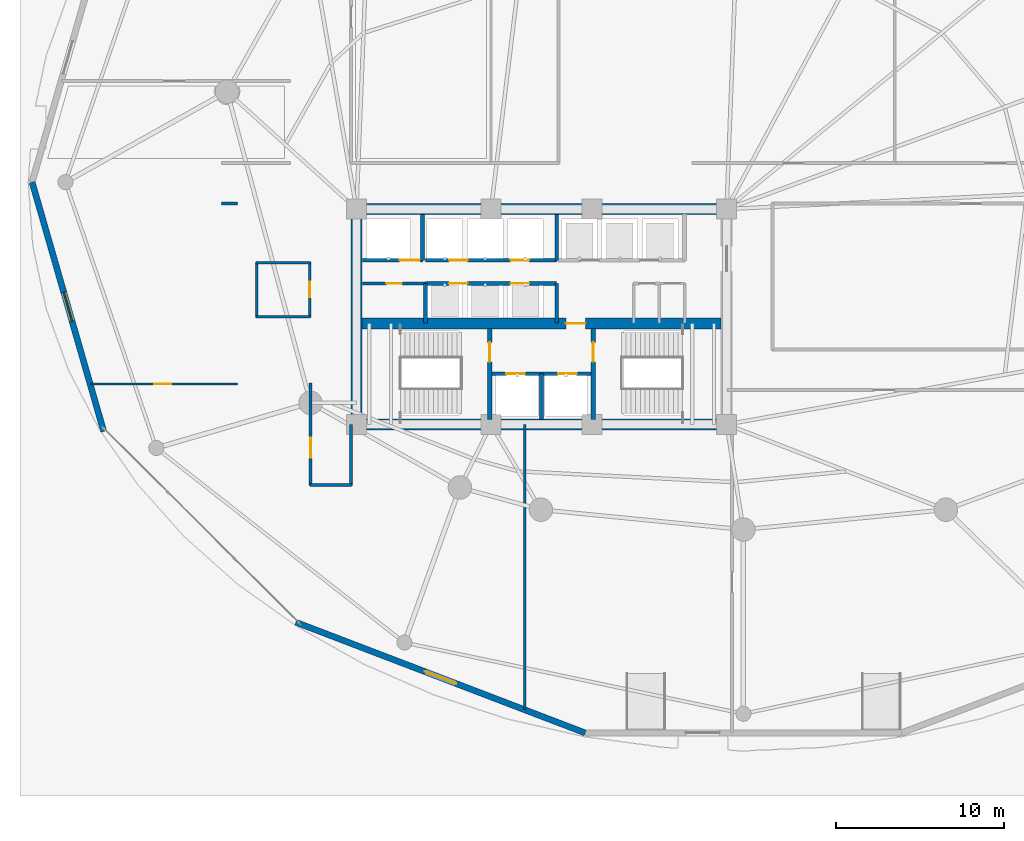
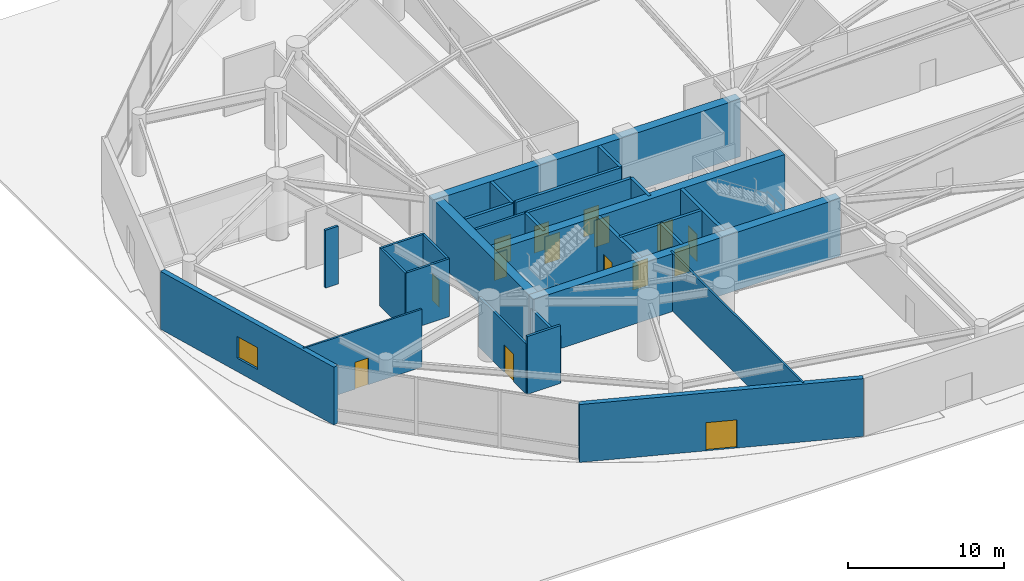
# One storey, part 22 of 35: 28 walls, 15 doors, 1 window, 16 openings.
"""IFC4 building model written with IfcOpenShell, lengths in metres."""

from ifc_helpers import new_model, si_unit, direction, frame, frame_2d, origin, place, context, subcontext, project, spatial, rectangle, extrude, material, layer, layer_set, type_object, element, fill, save


model = new_model("IFC4")

# Units and contexts
model_context = context("Model", 3, precision=1e-05, world=origin(), true_north=direction((0.0, 1.0)))
body_context = subcontext(model_context, "Body", "Model", "MODEL_VIEW")
ifc_project = project(units=[si_unit("LENGTHUNIT", "METRE"), si_unit("AREAUNIT", "SQUARE_METRE"), si_unit("VOLUMEUNIT", "CUBIC_METRE"), si_unit("PLANEANGLEUNIT", "RADIAN"), si_unit("MASSUNIT", "GRAM", prefix="KILO")], contexts=[model_context])

# Site, building, storey
site_placement = place(None, origin())
site = spatial("IfcSite", under=ifc_project, at=site_placement, CompositionType="ELEMENT")
building_placement = place(site_placement, origin())
building = spatial("IfcBuilding", under=site, at=building_placement, Name="Kazevale Care Tower and Concert Hall", CompositionType="ELEMENT")
storey_placement = place(building_placement, origin())
storey = spatial("IfcBuildingStorey", under=building, at=storey_placement, Name="L00", CompositionType="ELEMENT", Elevation=0.0)

# Wall, opening, door
ifc_material_1 = material(Name="Acoustic Gypsum on Steel Stud", Category="steel")
ifc_layer_1 = layer(ifc_material_1, 0.139892578125)
ifc_layer_set_1 = layer_set([ifc_layer_1], Name="Acoustic Gypsum on Steel Stud")
wall_type_1 = type_object("IfcWallType", Name="Acoustic Care & Suite Partition 140", PredefinedType="PARTITIONING", material=ifc_layer_set_1)
wall_1_placement = place(storey_placement, frame((6.1787109375, 26.0, 0.0), z_axis=(0.0, 0.0, 1.0), x_axis=(1.0, 0.0, 0.0)))
wall_1 = element("IfcWall", 1, at=wall_1_placement, inside=storey, type_object=wall_type_1, Name="wall:L00:auto_026", PredefinedType="PARTITIONING", context=body_context, shape_type="SweptSolid", body=[
    extrude(rectangle(XDim=8.76123046875, YDim=0.139892578125, at=frame_2d((4.380615234375, 0.0))), origin(), (0.0, 0.0, 1.0), 4.52001953125),
])
opening_1_placement = place(wall_1_placement, frame((3.800048828125, 0.0, 0.0)))
opening_1 = element("IfcOpeningElement", 2, at=opening_1_placement, cuts=wall_1, Name="Opening ID-1000", PredefinedType="OPENING", context=body_context, shape_type="SweptSolid", body=[
    extrude(rectangle(XDim=1.0, YDim=2.10009765625, at=frame_2d((0.5, 1.050048828125))), frame((0.0, 0.079833984375, 0.0), z_axis=(0.0, -1.0, 0.0), x_axis=(1.0, 0.0, 0.0)), (0.0, 0.0, 1.0), 0.159912109375),
])
ifc_material_2 = material(Name="Oak Timber Fire Leaf", Category="wood")
door_type_1 = type_object("IfcDoorType", Name="Suite & Room Door 1000x2100", OperationType="NOTDEFINED", PredefinedType="DOOR", material=ifc_material_2)
door_1_placement = place(opening_1_placement, origin())
door_1 = element("IfcDoor", 3, at=door_1_placement, inside=storey, type_object=door_type_1, Name="door:L00:ad_026", OperationType="SINGLE_SWING_LEFT", OverallHeight=2.10009765625, OverallWidth=1.0, PredefinedType="DOOR", context=body_context, shape_type="SweptSolid", body=[
    extrude(rectangle(XDim=1.0, YDim=2.10009765625, at=frame_2d((0.5, 1.050048828125))), frame((0.0, 0.02490234375, 0.0), z_axis=(0.0, -1.0, 0.0), x_axis=(1.0, 0.0, 0.0)), (0.0, 0.0, 1.0), 0.050048828125),
])
fill(opening_1, door_1)

# Walls
wall_2_placement = place(storey_placement, frame((32.0, 23.590087890625, 0.0), z_axis=(0.0, 0.0, 1.0), x_axis=(0.0, -1.0, 0.0)))
element("IfcWall", 4, at=wall_2_placement, inside=storey, type_object=wall_type_1, Name="wall:L00:auto_027", PredefinedType="PARTITIONING", context=body_context, shape_type="SweptSolid", body=[
    extrude(rectangle(XDim=16.9443359375, YDim=0.139892578125, at=frame_2d((8.47216796875, 0.0))), origin(), (0.0, 0.0, 1.0), 4.52001953125),
])
ifc_material_3 = material(Name="Concrete C70", Category="concrete")
ifc_layer_2 = layer(ifc_material_3, 0.64990234375)
ifc_layer_set_2 = layer_set([ifc_layer_2], Name="Concrete C70")
wall_type_2 = type_object("IfcWallType", Name="Core Shear Wall 650 C70", PredefinedType="SHEAR", material=ifc_layer_set_2)
for number, where, z_axis, x_axis, name in (
    (5, (21.675048828125, 23.60009765625, 0.0), (0.0, 0.0, 1.0), (1.0, 0.0, 0.0), "wall:L00:core:S"),
    (6, (21.675048828125, 36.39990234375, 0.0), (0.0, 0.0, 1.0), (1.0, 0.0, 0.0), "wall:L00:core:N"),
):
    element("IfcWall", number, at=place(storey_placement, frame(where, z_axis=z_axis, x_axis=x_axis)), inside=storey, type_object=wall_type_2, Name=name, PredefinedType="SHEAR", context=body_context, shape_type="SweptSolid", body=[
        extrude(rectangle(XDim=22.64990234375, YDim=0.64990234375, at=frame_2d((11.324951171875, 0.0))), origin(), (0.0, 0.0, 1.0), 4.52001953125),
    ])
wall_3_placement = place(storey_placement, frame((22.0, 23.925048828125, 0.0), z_axis=(0.0, 0.0, 1.0), x_axis=(0.0, 1.0, 0.0)))
element("IfcWall", 7, at=wall_3_placement, inside=storey, type_object=wall_type_2, Name="wall:L00:core:W", PredefinedType="SHEAR", context=body_context, shape_type="SweptSolid", body=[
    extrude(rectangle(XDim=12.14990234375, YDim=0.64990234375, at=frame_2d((6.074951171875, 0.0))), origin(), (0.0, 0.0, 1.0), 4.52001953125),
])

# Wall, opening, door
wall_4_placement = place(storey_placement, frame((22.324951171875, 29.60009765625, 0.0), z_axis=(0.0, 0.0, 1.0), x_axis=(1.0, 0.0, 0.0)))
wall_4 = element("IfcWall", 8, at=wall_4_placement, inside=storey, type_object=wall_type_2, Name="wall:L00:core:M", PredefinedType="SHEAR", context=body_context, shape_type="SweptSolid", body=[
    extrude(rectangle(XDim=21.35009765625, YDim=0.64990234375, at=frame_2d((10.675048828125, 0.0))), origin(), (0.0, 0.0, 1.0), 4.52001953125),
])
opening_2_placement = place(wall_4_placement, frame((12.125, 0.0, 0.0)))
opening_2 = element("IfcOpeningElement", 9, at=opening_2_placement, cuts=wall_4, Name="Opening FD-90", PredefinedType="OPENING", context=body_context, shape_type="SweptSolid", body=[
    extrude(rectangle(XDim=1.14990234375, YDim=2.10009765625, at=frame_2d((0.574951171875, 1.050048828125))), frame((0.0, 0.3349609375, 0.0), z_axis=(0.0, -1.0, 0.0), x_axis=(1.0, 0.0, 0.0)), (0.0, 0.0, 1.0), 0.669921875),
])
ifc_material_4 = material(Name="Steel ASTM A572 Gr 50", Category="steel")
door_type_2 = type_object("IfcDoorType", Name="Pressurized Stair & Lobby Fire Door 1150x2100", OperationType="NOTDEFINED", PredefinedType="DOOR", material=ifc_material_4)
door_2_placement = place(opening_2_placement, origin())
door_2 = element("IfcDoor", 10, at=door_2_placement, inside=storey, type_object=door_type_2, Name="door:L00:ff_to_pax", OperationType="SINGLE_SWING_LEFT", OverallHeight=2.10009765625, OverallWidth=1.14990234375, PredefinedType="DOOR", context=body_context, shape_type="SweptSolid", body=[
    extrude(rectangle(XDim=1.14990234375, YDim=2.10009765625, at=frame_2d((0.574951171875, 1.050048828125))), frame((0.0, 0.02490234375, 0.0), z_axis=(0.0, -1.0, 0.0), x_axis=(1.0, 0.0, 0.0)), (0.0, 0.0, 1.0), 0.050048828125),
])
fill(opening_2, door_2)

# Wall, openings, doors
ifc_material_5 = material(Name="Concrete C40", Category="concrete")
ifc_layer_3 = layer(ifc_material_5, 0.219970703125)
ifc_layer_set_3 = layer_set([ifc_layer_3], Name="Concrete C40")
wall_type_3 = type_object("IfcWallType", Name="Elevator Hoistway Shaft Wall 220", PredefinedType="SOLIDWALL", material=ifc_layer_set_3)
wall_5_placement = place(storey_placement, frame((29.919921875, 26.6201171875, 0.0), z_axis=(0.0, 0.0, 1.0), x_axis=(1.0, 0.0, 0.0)))
wall_5 = element("IfcWall", 11, at=wall_5_placement, inside=storey, type_object=wall_type_3, Name="wall:L00:c_ffl_n", PredefinedType="SOLIDWALL", context=body_context, shape_type="SweptSolid", body=[
    extrude(rectangle(XDim=6.16015625, YDim=0.219970703125, at=frame_2d((3.080078125, 0.0))), origin(), (0.0, 0.0, 1.0), 4.52001953125),
])
opening_3_placement = place(wall_5_placement, frame((0.989990234375, 0.0, 0.0)))
opening_3 = element("IfcOpeningElement", 12, at=opening_3_placement, cuts=wall_5, Name="Opening LD-FF", PredefinedType="OPENING", context=body_context, shape_type="SweptSolid", body=[
    extrude(rectangle(XDim=1.10009765625, YDim=2.10009765625, at=frame_2d((0.550048828125, 1.050048828125))), frame((0.0, 0.119873046875, 0.0), z_axis=(0.0, -1.0, 0.0), x_axis=(1.0, 0.0, 0.0)), (0.0, 0.0, 1.0), 0.239990234375),
])
opening_4_placement = place(wall_5_placement, frame((4.070068359375, 0.0, 0.0)))
opening_4 = element("IfcOpeningElement", 13, at=opening_4_placement, cuts=wall_5, Name="Opening LD-FF", PredefinedType="OPENING", context=body_context, shape_type="SweptSolid", body=[
    extrude(rectangle(XDim=1.10009765625, YDim=2.10009765625, at=frame_2d((0.550048828125, 1.050048828125))), frame((0.0, 0.119873046875, 0.0), z_axis=(0.0, -1.0, 0.0), x_axis=(1.0, 0.0, 0.0)), (0.0, 0.0, 1.0), 0.239990234375),
])
ifc_material_6 = material(Name="Stainless Steel 316", Category="steel")
door_type_3 = type_object("IfcDoorType", Name="Emergency Lift Sliding Landing Door 1100x2100", OperationType="NOTDEFINED", PredefinedType="DOOR", material=ifc_material_6)
door_3_placement = place(opening_3_placement, origin())
door_3 = element("IfcDoor", 14, at=door_3_placement, inside=storey, type_object=door_type_3, Name="door:L00:ld_ffl1", OperationType="SLIDING_TO_LEFT", OverallHeight=2.10009765625, OverallWidth=1.10009765625, PredefinedType="DOOR", context=body_context, shape_type="SweptSolid", body=[
    extrude(rectangle(XDim=1.10009765625, YDim=2.10009765625, at=frame_2d((0.550048828125, 1.050048828125))), frame((0.0, 0.02490234375, 0.0), z_axis=(0.0, -1.0, 0.0), x_axis=(1.0, 0.0, 0.0)), (0.0, 0.0, 1.0), 0.050048828125),
])
fill(opening_3, door_3)
door_4_placement = place(opening_4_placement, origin())
door_4 = element("IfcDoor", 15, at=door_4_placement, inside=storey, type_object=door_type_3, Name="door:L00:ld_ffl2", OperationType="SLIDING_TO_RIGHT", OverallHeight=2.10009765625, OverallWidth=1.10009765625, PredefinedType="DOOR", context=body_context, shape_type="SweptSolid", body=[
    extrude(rectangle(XDim=1.10009765625, YDim=2.10009765625, at=frame_2d((0.550048828125, 1.050048828125))), frame((0.0, 0.02490234375, 0.0), z_axis=(0.0, -1.0, 0.0), x_axis=(1.0, 0.0, 0.0)), (0.0, 0.0, 1.0), 0.050048828125),
])
fill(opening_4, door_4)

# Walls
wall_6_placement = place(storey_placement, frame((33.0, 23.89990234375, 0.0), z_axis=(0.0, 0.0, 1.0), x_axis=(0.0, 1.0, 0.0)))
element("IfcWall", 16, at=wall_6_placement, inside=storey, type_object=wall_type_3, Name="wall:L00:c_ffl_m", PredefinedType="SOLIDWALL", context=body_context, shape_type="SweptSolid", body=[
    extrude(rectangle(XDim=2.72021484375, YDim=0.219970703125, at=frame_2d((1.360107421875, 0.0))), origin(), (0.0, 0.0, 1.0), 4.52001953125),
])
wall_7_placement = place(storey_placement, frame((25.919921875, 33.35009765625, 0.0), z_axis=(0.0, 0.0, 1.0), x_axis=(0.0, 1.0, 0.0)))
element("IfcWall", 17, at=wall_7_placement, inside=storey, type_object=wall_type_3, Name="wall:L00:c_svl_e", PredefinedType="SOLIDWALL", context=body_context, shape_type="SweptSolid", body=[
    extrude(rectangle(XDim=2.72998046875, YDim=0.219970703125, at=frame_2d((1.364990234375, 0.0))), origin(), (0.0, 0.0, 1.0), 4.52001953125),
])

# Wall, opening, door
wall_8_placement = place(storey_placement, frame((22.35009765625, 33.35009765625, 0.0), z_axis=(0.0, 0.0, 1.0), x_axis=(1.0, 0.0, 0.0)))
wall_8 = element("IfcWall", 18, at=wall_8_placement, inside=storey, type_object=wall_type_3, Name="wall:L00:c_svl_s", PredefinedType="SOLIDWALL", context=body_context, shape_type="SweptSolid", body=[
    extrude(rectangle(XDim=3.56982421875, YDim=0.219970703125, at=frame_2d((1.784912109375, 0.0))), origin(), (0.0, 0.0, 1.0), 4.52001953125),
])
opening_5_placement = place(wall_8_placement, frame((2.212890625, 0.0, 0.0)))
opening_5 = element("IfcOpeningElement", 19, at=opening_5_placement, cuts=wall_8, Name="Opening LD-SV", PredefinedType="OPENING", context=body_context, shape_type="SweptSolid", body=[
    extrude(rectangle(XDim=1.199951171875, YDim=2.10009765625, at=frame_2d((0.60009765625, 1.050048828125))), frame((0.0, 0.119873046875, 0.0), z_axis=(0.0, -1.0, 0.0), x_axis=(1.0, 0.0, 0.0)), (0.0, 0.0, 1.0), 0.239990234375),
])
door_type_4 = type_object("IfcDoorType", Name="Service Lift Sliding Landing Door 1200x2100", OperationType="NOTDEFINED", PredefinedType="DOOR", material=ifc_material_6)
door_5_placement = place(opening_5_placement, origin())
door_5 = element("IfcDoor", 20, at=door_5_placement, inside=storey, type_object=door_type_4, Name="door:L00:ld_svl1", OperationType="SLIDING_TO_LEFT", OverallHeight=2.10009765625, OverallWidth=1.199951171875, PredefinedType="DOOR", context=body_context, shape_type="SweptSolid", body=[
    extrude(rectangle(XDim=1.199951171875, YDim=2.10009765625, at=frame_2d((0.60009765625, 1.050048828125))), frame((0.0, 0.02490234375, 0.0), z_axis=(0.0, -1.0, 0.0), x_axis=(1.0, 0.0, 0.0)), (0.0, 0.0, 1.0), 0.050048828125),
])
fill(opening_5, door_5)

# Wall
wall_9_placement = place(storey_placement, frame((26.10009765625, 29.6201171875, 0.0), z_axis=(0.0, 0.0, 1.0), x_axis=(0.0, 1.0, 0.0)))
element("IfcWall", 21, at=wall_9_placement, inside=storey, type_object=wall_type_3, Name="wall:L00:c_ph_w", PredefinedType="SOLIDWALL", context=body_context, shape_type="SweptSolid", body=[
    extrude(rectangle(XDim=2.35986328125, YDim=0.219970703125, at=frame_2d((1.179931640625, 0.0))), origin(), (0.0, 0.0, 1.0), 4.52001953125),
])

# Wall, openings, doors
wall_10_placement = place(storey_placement, frame((26.10009765625, 31.97998046875, 0.0), z_axis=(0.0, 0.0, 1.0), x_axis=(1.0, 0.0, 0.0)))
wall_10 = element("IfcWall", 22, at=wall_10_placement, inside=storey, type_object=wall_type_3, Name="wall:L00:c_ph_n", PredefinedType="SOLIDWALL", context=body_context, shape_type="SweptSolid", body=[
    extrude(rectangle(XDim=7.7998046875, YDim=0.219970703125, at=frame_2d((3.89990234375, 0.0))), origin(), (0.0, 0.0, 1.0), 4.52001953125),
])
opening_6_placement = place(wall_10_placement, frame((1.39990234375, 0.0, 0.0)))
opening_6 = element("IfcOpeningElement", 23, at=opening_6_placement, cuts=wall_10, Name="Opening LD-PAX", PredefinedType="OPENING", context=body_context, shape_type="SweptSolid", body=[
    extrude(rectangle(XDim=1.10009765625, YDim=2.10009765625, at=frame_2d((0.550048828125, 1.050048828125))), frame((0.0, 0.119873046875, 0.0), z_axis=(0.0, -1.0, 0.0), x_axis=(1.0, 0.0, 0.0)), (0.0, 0.0, 1.0), 0.239990234375),
])
opening_7_placement = place(wall_10_placement, frame((5.06591796875, 0.0, 0.0)))
opening_7 = element("IfcOpeningElement", 24, at=opening_7_placement, cuts=wall_10, Name="Opening LD-PAX", PredefinedType="OPENING", context=body_context, shape_type="SweptSolid", body=[
    extrude(rectangle(XDim=1.10009765625, YDim=2.10009765625, at=frame_2d((0.550048828125, 1.050048828125))), frame((0.0, 0.119873046875, 0.0), z_axis=(0.0, -1.0, 0.0), x_axis=(1.0, 0.0, 0.0)), (0.0, 0.0, 1.0), 0.239990234375),
])
door_type_5 = type_object("IfcDoorType", Name="Passenger Lift Sliding Landing Door 1100x2100", OperationType="NOTDEFINED", PredefinedType="DOOR", material=ifc_material_6)
door_6_placement = place(opening_6_placement, origin())
door_6 = element("IfcDoor", 25, at=door_6_placement, inside=storey, type_object=door_type_5, Name="door:L00:ld_ph1", OperationType="SLIDING_TO_LEFT", OverallHeight=2.10009765625, OverallWidth=1.10009765625, PredefinedType="DOOR", context=body_context, shape_type="SweptSolid", body=[
    extrude(rectangle(XDim=1.10009765625, YDim=2.10009765625, at=frame_2d((0.550048828125, 1.050048828125))), frame((0.0, 0.02490234375, 0.0), z_axis=(0.0, -1.0, 0.0), x_axis=(1.0, 0.0, 0.0)), (0.0, 0.0, 1.0), 0.050048828125),
])
fill(opening_6, door_6)
door_7_placement = place(opening_7_placement, origin())
door_7 = element("IfcDoor", 26, at=door_7_placement, inside=storey, type_object=door_type_5, Name="door:L00:ld_ph2", OperationType="SLIDING_TO_RIGHT", OverallHeight=2.10009765625, OverallWidth=1.10009765625, PredefinedType="DOOR", context=body_context, shape_type="SweptSolid", body=[
    extrude(rectangle(XDim=1.10009765625, YDim=2.10009765625, at=frame_2d((0.550048828125, 1.050048828125))), frame((0.0, 0.02490234375, 0.0), z_axis=(0.0, -1.0, 0.0), x_axis=(1.0, 0.0, 0.0)), (0.0, 0.0, 1.0), 0.050048828125),
])
fill(opening_7, door_7)

# Wall
wall_11_placement = place(storey_placement, frame((33.89990234375, 29.6201171875, 0.0), z_axis=(0.0, 0.0, 1.0), x_axis=(0.0, 1.0, 0.0)))
element("IfcWall", 27, at=wall_11_placement, inside=storey, type_object=wall_type_3, Name="wall:L00:c_ph_e", PredefinedType="SOLIDWALL", context=body_context, shape_type="SweptSolid", body=[
    extrude(rectangle(XDim=2.35986328125, YDim=0.219970703125, at=frame_2d((1.179931640625, 0.0))), origin(), (0.0, 0.0, 1.0), 4.52001953125),
])

# Wall, openings, doors
wall_12_placement = place(storey_placement, frame((26.10009765625, 33.35009765625, 0.0), z_axis=(0.0, 0.0, 1.0), x_axis=(1.0, 0.0, 0.0)))
wall_12 = element("IfcWall", 28, at=wall_12_placement, inside=storey, type_object=wall_type_3, Name="wall:L00:c_pl_s", PredefinedType="SOLIDWALL", context=body_context, shape_type="SweptSolid", body=[
    extrude(rectangle(XDim=7.7998046875, YDim=0.219970703125, at=frame_2d((3.89990234375, 0.0))), origin(), (0.0, 0.0, 1.0), 4.52001953125),
])
opening_8_placement = place(wall_12_placement, frame((1.39990234375, 0.0, 0.0)))
opening_8 = element("IfcOpeningElement", 29, at=opening_8_placement, cuts=wall_12, Name="Opening LD-PAX", PredefinedType="OPENING", context=body_context, shape_type="SweptSolid", body=[
    extrude(rectangle(XDim=1.10009765625, YDim=2.10009765625, at=frame_2d((0.550048828125, 1.050048828125))), frame((0.0, 0.119873046875, 0.0), z_axis=(0.0, -1.0, 0.0), x_axis=(1.0, 0.0, 0.0)), (0.0, 0.0, 1.0), 0.239990234375),
])
opening_9_placement = place(wall_12_placement, frame((5.06591796875, 0.0, 0.0)))
opening_9 = element("IfcOpeningElement", 30, at=opening_9_placement, cuts=wall_12, Name="Opening LD-PAX", PredefinedType="OPENING", context=body_context, shape_type="SweptSolid", body=[
    extrude(rectangle(XDim=1.10009765625, YDim=2.10009765625, at=frame_2d((0.550048828125, 1.050048828125))), frame((0.0, 0.119873046875, 0.0), z_axis=(0.0, -1.0, 0.0), x_axis=(1.0, 0.0, 0.0)), (0.0, 0.0, 1.0), 0.239990234375),
])
door_8_placement = place(opening_8_placement, origin())
door_8 = element("IfcDoor", 31, at=door_8_placement, inside=storey, type_object=door_type_5, Name="door:L00:ld_pl1", OperationType="SLIDING_TO_LEFT", OverallHeight=2.10009765625, OverallWidth=1.10009765625, PredefinedType="DOOR", context=body_context, shape_type="SweptSolid", body=[
    extrude(rectangle(XDim=1.10009765625, YDim=2.10009765625, at=frame_2d((0.550048828125, 1.050048828125))), frame((0.0, 0.02490234375, 0.0), z_axis=(0.0, -1.0, 0.0), x_axis=(1.0, 0.0, 0.0)), (0.0, 0.0, 1.0), 0.050048828125),
])
fill(opening_8, door_8)
door_9_placement = place(opening_9_placement, origin())
door_9 = element("IfcDoor", 32, at=door_9_placement, inside=storey, type_object=door_type_5, Name="door:L00:ld_pl2", OperationType="SLIDING_TO_RIGHT", OverallHeight=2.10009765625, OverallWidth=1.10009765625, PredefinedType="DOOR", context=body_context, shape_type="SweptSolid", body=[
    extrude(rectangle(XDim=1.10009765625, YDim=2.10009765625, at=frame_2d((0.550048828125, 1.050048828125))), frame((0.0, 0.02490234375, 0.0), z_axis=(0.0, -1.0, 0.0), x_axis=(1.0, 0.0, 0.0)), (0.0, 0.0, 1.0), 0.050048828125),
])
fill(opening_9, door_9)

# Wall
wall_13_placement = place(storey_placement, frame((33.89990234375, 33.35009765625, 0.0), z_axis=(0.0, 0.0, 1.0), x_axis=(0.0, 1.0, 0.0)))
element("IfcWall", 33, at=wall_13_placement, inside=storey, type_object=wall_type_3, Name="wall:L00:c_pl_e", PredefinedType="SOLIDWALL", context=body_context, shape_type="SweptSolid", body=[
    extrude(rectangle(XDim=2.72998046875, YDim=0.219970703125, at=frame_2d((1.364990234375, 0.0))), origin(), (0.0, 0.0, 1.0), 4.52001953125),
])

# Wall, opening, door
ifc_material_7 = material(Name="Concrete C40 and Acoustic Gypsum", Category="concrete")
ifc_layer_4 = layer(ifc_material_7, 0.179931640625)
ifc_layer_set_4 = layer_set([ifc_layer_4], Name="Concrete C40 and Acoustic Gypsum")
wall_type_4 = type_object("IfcWallType", Name="Fire-Rated Corridor & Party Wall 180", PredefinedType="PARTITIONING", material=ifc_layer_set_4)
wall_14_placement = place(storey_placement, frame((22.35009765625, 31.97998046875, 0.0), z_axis=(0.0, 0.0, 1.0), x_axis=(1.0, 0.0, 0.0)))
wall_14 = element("IfcWall", 34, at=wall_14_placement, inside=storey, type_object=wall_type_4, Name="wall:L00:ka_wn1", PredefinedType="PARTITIONING", context=body_context, shape_type="SweptSolid", body=[
    extrude(rectangle(XDim=3.75, YDim=0.179931640625, at=frame_2d((1.875, 0.0))), origin(), (0.0, 0.0, 1.0), 4.52001953125),
])
opening_10_placement = place(wall_14_placement, frame((1.425048828125, 0.0, 0.0)))
opening_10 = element("IfcOpeningElement", 35, at=opening_10_placement, cuts=wall_14, Name="Opening ID-900", PredefinedType="OPENING", context=body_context, shape_type="SweptSolid", body=[
    extrude(rectangle(XDim=0.919921875, YDim=2.10009765625, at=frame_2d((0.4599609375, 1.050048828125))), frame((0.0, 0.099853515625, 0.0), z_axis=(0.0, -1.0, 0.0), x_axis=(1.0, 0.0, 0.0)), (0.0, 0.0, 1.0), 0.199951171875),
])
door_type_6 = type_object("IfcDoorType", Name="Bathroom & Service Door 920x2100", OperationType="NOTDEFINED", PredefinedType="DOOR", material=ifc_material_2)
door_10_placement = place(opening_10_placement, origin())
door_10 = element("IfcDoor", 36, at=door_10_placement, inside=storey, type_object=door_type_6, Name="door:L00:d_kaw", OperationType="SINGLE_SWING_LEFT", OverallHeight=2.10009765625, OverallWidth=0.919921875, PredefinedType="DOOR", context=body_context, shape_type="SweptSolid", body=[
    extrude(rectangle(XDim=0.919921875, YDim=2.10009765625, at=frame_2d((0.4599609375, 1.050048828125))), frame((0.0, 0.02490234375, 0.0), z_axis=(0.0, -1.0, 0.0), x_axis=(1.0, 0.0, 0.0)), (0.0, 0.0, 1.0), 0.050048828125),
])
fill(opening_10, door_10)

wall_15_placement = place(storey_placement, frame((19.27490234375, 19.969970703125, 0.0), z_axis=(0.0, 0.0, 1.0), x_axis=(0.0, 1.0, 0.0)))
wall_15 = element("IfcWall", 37, at=wall_15_placement, inside=storey, type_object=wall_type_4, Name="wall:L00:auto_017", PredefinedType="PARTITIONING", context=body_context, shape_type="SweptSolid", body=[
    extrude(rectangle(XDim=6.094970703125, YDim=0.179931640625, at=frame_2d((3.04736328125, 0.0))), origin(), (0.0, 0.0, 1.0), 3.89794921875),
])
opening_11_placement = place(wall_15_placement, frame((1.64697265625, 0.0, 0.0)))
opening_11 = element("IfcOpeningElement", 38, at=opening_11_placement, cuts=wall_15, Name="Opening ID-1200", PredefinedType="OPENING", context=body_context, shape_type="SweptSolid", body=[
    extrude(rectangle(XDim=1.199951171875, YDim=2.14990234375, at=frame_2d((0.60009765625, 1.074951171875))), frame((0.0, 0.099853515625, 0.0), z_axis=(0.0, -1.0, 0.0), x_axis=(1.0, 0.0, 0.0)), (0.0, 0.0, 1.0), 0.199951171875),
])
door_type_7 = type_object("IfcDoorType", Name="Clinical & Therapy Door 1200x2150", OperationType="NOTDEFINED", PredefinedType="DOOR", material=ifc_material_2)
door_11_placement = place(opening_11_placement, origin())
door_11 = element("IfcDoor", 39, at=door_11_placement, inside=storey, type_object=door_type_7, Name="door:L00:ad_017", OperationType="SINGLE_SWING_LEFT", OverallHeight=2.14990234375, OverallWidth=1.199951171875, PredefinedType="DOOR", context=body_context, shape_type="SweptSolid", body=[
    extrude(rectangle(XDim=1.199951171875, YDim=2.14990234375, at=frame_2d((0.60009765625, 1.074951171875))), frame((0.0, 0.02490234375, 0.0), z_axis=(0.0, -1.0, 0.0), x_axis=(1.0, 0.0, 0.0)), (0.0, 0.0, 1.0), 0.050048828125),
])
fill(opening_11, door_11)

# Walls
wall_16_placement = place(storey_placement, frame((21.675048828125, 23.590087890625, 0.0), z_axis=(0.0, 0.0, 1.0), x_axis=(0.0, -1.0, 0.0)))
element("IfcWall", 40, at=wall_16_placement, inside=storey, type_object=wall_type_4, Name="wall:L00:auto_018", PredefinedType="PARTITIONING", context=body_context, shape_type="SweptSolid", body=[
    extrude(rectangle(XDim=3.6201171875, YDim=0.179931640625, at=frame_2d((1.81005859375, 0.0))), origin(), (0.0, 0.0, 1.0), 3.659912109375),
])
wall_17_placement = place(storey_placement, frame((21.705078125, 20.0, 0.0), z_axis=(0.0, 0.0, 1.0), x_axis=(-1.0, 0.0, 0.0)))
element("IfcWall", 41, at=wall_17_placement, inside=storey, type_object=wall_type_4, Name="wall:L00:auto_019", PredefinedType="PARTITIONING", context=body_context, shape_type="SweptSolid", body=[
    extrude(rectangle(XDim=2.4599609375, YDim=0.179931640625, at=frame_2d((1.22998046875, 0.0))), origin(), (0.0, 0.0, 1.0), 4.52001953125),
])
wall_18_placement = place(storey_placement, frame((14.93994140625, 36.72509765625, 0.0), z_axis=(0.0, 0.0, 1.0), x_axis=(-1.0, 0.0, 0.0)))
element("IfcWall", 42, at=wall_18_placement, inside=storey, type_object=wall_type_4, Name="wall:L00:auto_020", PredefinedType="PARTITIONING", context=body_context, shape_type="SweptSolid", body=[
    extrude(rectangle(XDim=0.969970703125, YDim=0.179931640625, at=frame_2d((0.48486328125, 0.0))), origin(), (0.0, 0.0, 1.0), 4.52001953125),
])
ifc_layer_5 = layer(ifc_material_1, 0.159912109375)
ifc_layer_set_5 = layer_set([ifc_layer_5], Name="Acoustic Gypsum on Steel Stud")
wall_type_5 = type_object("IfcWallType", Name="Moisture-Resistant Bathroom Plumbing Wall 160", PredefinedType="PLUMBINGWALL", material=ifc_layer_set_5)
for number, where, z_axis, x_axis, name in (
    (43, (16.034912109375, 30.0, 0.0), (0.0, 0.0, 1.0), (1.0, 0.0, 0.0), "wall:L00:pod_sw_wc_ws"),
    (44, (16.034912109375, 33.199951171875, 0.0), (0.0, 0.0, 1.0), (1.0, 0.0, 0.0), "wall:L00:pod_sw_wc_wn"),
):
    element("IfcWall", number, at=place(storey_placement, frame(where, z_axis=z_axis, x_axis=x_axis)), inside=storey, type_object=wall_type_5, Name=name, PredefinedType="PLUMBINGWALL", context=body_context, shape_type="SweptSolid", body=[
        extrude(rectangle(XDim=3.22998046875, YDim=0.159912109375, at=frame_2d((1.614990234375, 0.0))), origin(), (0.0, 0.0, 1.0), 4.52001953125),
    ])
wall_19_placement = place(storey_placement, frame((16.074951171875, 29.9599609375, 0.0), z_axis=(0.0, 0.0, 1.0), x_axis=(0.0, 1.0, 0.0)))
element("IfcWall", 45, at=wall_19_placement, inside=storey, type_object=wall_type_5, Name="wall:L00:pod_sw_wc_ww", PredefinedType="PLUMBINGWALL", context=body_context, shape_type="SweptSolid", body=[
    extrude(rectangle(XDim=3.280029296875, YDim=0.159912109375, at=frame_2d((1.64013671875, 0.0))), origin(), (0.0, 0.0, 1.0), 4.52001953125),
])

# Wall, opening, door
wall_20_placement = place(storey_placement, frame((19.22509765625, 29.9599609375, 0.0), z_axis=(0.0, 0.0, 1.0), x_axis=(0.0, 1.0, 0.0)))
wall_20 = element("IfcWall", 46, at=wall_20_placement, inside=storey, type_object=wall_type_5, Name="wall:L00:pod_sw_wc_we", PredefinedType="PLUMBINGWALL", context=body_context, shape_type="SweptSolid", body=[
    extrude(rectangle(XDim=3.280029296875, YDim=0.159912109375, at=frame_2d((1.64013671875, 0.0))), origin(), (0.0, 0.0, 1.0), 4.52001953125),
])
opening_12_placement = place(wall_20_placement, frame((1.18994140625, 0.0, 0.0)))
opening_12 = element("IfcOpeningElement", 47, at=opening_12_placement, cuts=wall_20, Name="Opening ID-900", PredefinedType="OPENING", context=body_context, shape_type="SweptSolid", body=[
    extrude(rectangle(XDim=0.919921875, YDim=2.10009765625, at=frame_2d((0.4599609375, 1.050048828125))), frame((0.0, 0.08984375, 0.0), z_axis=(0.0, -1.0, 0.0), x_axis=(1.0, 0.0, 0.0)), (0.0, 0.0, 1.0), 0.179931640625),
])
door_12_placement = place(opening_12_placement, origin())
door_12 = element("IfcDoor", 48, at=door_12_placement, inside=storey, type_object=door_type_6, Name="door:L00:pod_sw_wc_d", OperationType="SINGLE_SWING_LEFT", OverallHeight=2.10009765625, OverallWidth=0.919921875, PredefinedType="DOOR", context=body_context, shape_type="SweptSolid", body=[
    extrude(rectangle(XDim=0.919921875, YDim=2.10009765625, at=frame_2d((0.4599609375, 1.050048828125))), frame((0.0, 0.02490234375, 0.0), z_axis=(0.0, -1.0, 0.0), x_axis=(1.0, 0.0, 0.0)), (0.0, 0.0, 1.0), 0.050048828125),
])
fill(opening_12, door_12)

# Wall, opening, window
ifc_material_8 = material(Name="Concrete C40 with Honed Limestone Cladding", Category="masonry")
ifc_layer_6 = layer(ifc_material_8, 0.360107421875)
ifc_layer_set_6 = layer_set([ifc_layer_6], Name="Concrete C40 with Honed Limestone Cladding")
wall_type_6 = type_object("IfcWallType", Name="Podium Insulated Limestone Wall 360", PredefinedType="STANDARD", material=ifc_layer_set_6)
wall_21_placement = place(storey_placement, frame((2.719970703125, 38.0, 0.0), z_axis=(0.0, 0.0, 1.0), x_axis=(0.276203409751, -0.961099202186, 0.0)))
wall_21 = element("IfcWall", 49, at=wall_21_placement, inside=storey, type_object=wall_type_6, Name="wall:L00:podew:08", PredefinedType="STANDARD", context=body_context, shape_type="SweptSolid", body=[
    extrude(rectangle(XDim=15.419921875, YDim=0.360107421875, at=frame_2d((7.7099609375, 0.0))), origin(), (0.0, 0.0, 1.0), 4.52001953125),
])
opening_13_placement = place(wall_21_placement, frame((6.81005859375, 0.0, 1.050048828125)))
opening_13 = element("IfcOpeningElement", 50, at=opening_13_placement, cuts=wall_21, Name="Opening WIN-2", PredefinedType="OPENING", context=body_context, shape_type="SweptSolid", body=[
    extrude(rectangle(XDim=1.800048828125, YDim=1.699951171875, at=frame_2d((0.89990234375, 0.85009765625))), frame((0.0, 0.18994140625, 0.0), z_axis=(0.0, -1.0, 0.0), x_axis=(1.0, 0.0, 0.0)), (0.0, 0.0, 1.0), 0.380126953125),
])
ifc_material_9 = material(Name="Low-E Laminated Glass", Category="glass")
window_type = type_object("IfcWindowType", Name="Clinical Punched Window 1800x1700", PartitioningType="DOUBLE_PANEL_VERTICAL", PredefinedType="WINDOW", material=ifc_material_9)
window_placement = place(opening_13_placement, origin())
window = element("IfcWindow", 51, at=window_placement, inside=storey, type_object=window_type, Name="win:L00:pod:08", OverallHeight=1.699951171875, OverallWidth=1.800048828125, PartitioningType="SINGLE_PANEL", PredefinedType="WINDOW", context=body_context, shape_type="SweptSolid", body=[
    extrude(rectangle(XDim=1.800048828125, YDim=1.699951171875, at=frame_2d((0.89990234375, 0.85009765625))), frame((0.0, 0.030029296875, 0.0), z_axis=(0.0, -1.0, 0.0), x_axis=(1.0, 0.0, 0.0)), (0.0, 0.0, 1.0), 0.06005859375),
])
fill(opening_13, window)

# Wall, opening, door
wall_22_placement = place(storey_placement, frame((35.592041015625, 5.261962890625, 0.0), z_axis=(0.0, 0.0, 1.0), x_axis=(-0.934012147289, 0.357241247221, 0.0)))
wall_22 = element("IfcWall", 52, at=wall_22_placement, inside=storey, type_object=wall_type_6, Name="wall:L00:podew:10", PredefinedType="STANDARD", context=body_context, shape_type="SweptSolid", body=[
    extrude(rectangle(XDim=18.410888671875, YDim=0.360107421875, at=frame_2d((9.20556640625, 0.0))), origin(), (0.0, 0.0, 1.0), 4.52001953125),
])
opening_14_placement = place(wall_22_placement, frame((8.205078125, 0.0, 0.0)))
opening_14 = element("IfcOpeningElement", 53, at=opening_14_placement, cuts=wall_22, Name="Opening ED-2000", PredefinedType="OPENING", context=body_context, shape_type="SweptSolid", body=[
    extrude(rectangle(XDim=2.0, YDim=2.199951171875, at=frame_2d((1.0, 1.10009765625))), frame((0.0, 0.18994140625, 0.0), z_axis=(0.0, -1.0, 0.0), x_axis=(1.0, 0.0, 0.0)), (0.0, 0.0, 1.0), 0.380126953125),
])
ifc_material_10 = material(Name="Aluminium 6063-T6 and Low-E Glass", Category="aluminium")
door_type_8 = type_object("IfcDoorType", Name="Ground Final Exit Double Door 2000x2200", OperationType="NOTDEFINED", PredefinedType="DOOR", material=ifc_material_10)
door_13_placement = place(opening_14_placement, origin())
door_13 = element("IfcDoor", 54, at=door_13_placement, inside=storey, type_object=door_type_8, Name="door:L00:ED-01", OperationType="DOUBLE_DOOR_SINGLE_SWING", OverallHeight=2.199951171875, OverallWidth=2.0, PredefinedType="DOOR", context=body_context, shape_type="SweptSolid", body=[
    extrude(rectangle(XDim=2.0, YDim=2.199951171875, at=frame_2d((1.0, 1.10009765625))), frame((0.0, 0.02490234375, 0.0), z_axis=(0.0, -1.0, 0.0), x_axis=(1.0, 0.0, 0.0)), (0.0, 0.0, 1.0), 0.050048828125),
])
fill(opening_14, door_13)

ifc_layer_7 = layer(ifc_material_5, 0.25)
ifc_layer_set_7 = layer_set([ifc_layer_7], Name="Concrete C40")
wall_type_7 = type_object("IfcWallType", Name="Pressurized Stair Shaft Wall 250", PredefinedType="SOLIDWALL", material=ifc_layer_set_7)
wall_23_placement = place(storey_placement, frame((29.919921875, 23.89990234375, 0.0), z_axis=(0.0, 0.0, 1.0), x_axis=(0.0, 1.0, 0.0)))
wall_23 = element("IfcWall", 55, at=wall_23_placement, inside=storey, type_object=wall_type_7, Name="wall:L00:c_st1_e", PredefinedType="SOLIDWALL", context=body_context, shape_type="SweptSolid", body=[
    extrude(rectangle(XDim=5.400146484375, YDim=0.25, at=frame_2d((2.7001953125, 0.0))), origin(), (0.0, 0.0, 1.0), 4.52001953125),
])
opening_15_placement = place(wall_23_placement, frame((3.4208984375, 0.0, 0.0)))
opening_15 = element("IfcOpeningElement", 56, at=opening_15_placement, cuts=wall_23, Name="Opening FD-90", PredefinedType="OPENING", context=body_context, shape_type="SweptSolid", body=[
    extrude(rectangle(XDim=1.14990234375, YDim=2.10009765625, at=frame_2d((0.574951171875, 1.050048828125))), frame((0.0, 0.135009765625, 0.0), z_axis=(0.0, -1.0, 0.0), x_axis=(1.0, 0.0, 0.0)), (0.0, 0.0, 1.0), 0.27001953125),
])
door_14_placement = place(opening_15_placement, origin())
door_14 = element("IfcDoor", 57, at=door_14_placement, inside=storey, type_object=door_type_2, Name="door:L00:st1", OperationType="SINGLE_SWING_LEFT", OverallHeight=2.10009765625, OverallWidth=1.14990234375, PredefinedType="DOOR", context=body_context, shape_type="SweptSolid", body=[
    extrude(rectangle(XDim=1.14990234375, YDim=2.10009765625, at=frame_2d((0.574951171875, 1.050048828125))), frame((0.0, 0.02490234375, 0.0), z_axis=(0.0, -1.0, 0.0), x_axis=(1.0, 0.0, 0.0)), (0.0, 0.0, 1.0), 0.050048828125),
])
fill(opening_15, door_14)

wall_24_placement = place(storey_placement, frame((36.080078125, 23.89990234375, 0.0), z_axis=(0.0, 0.0, 1.0), x_axis=(0.0, 1.0, 0.0)))
wall_24 = element("IfcWall", 58, at=wall_24_placement, inside=storey, type_object=wall_type_7, Name="wall:L00:c_st2_w", PredefinedType="SOLIDWALL", context=body_context, shape_type="SweptSolid", body=[
    extrude(rectangle(XDim=5.400146484375, YDim=0.25, at=frame_2d((2.7001953125, 0.0))), origin(), (0.0, 0.0, 1.0), 4.52001953125),
])
opening_16_placement = place(wall_24_placement, frame((3.4208984375, 0.0, 0.0)))
opening_16 = element("IfcOpeningElement", 59, at=opening_16_placement, cuts=wall_24, Name="Opening FD-90", PredefinedType="OPENING", context=body_context, shape_type="SweptSolid", body=[
    extrude(rectangle(XDim=1.14990234375, YDim=2.10009765625, at=frame_2d((0.574951171875, 1.050048828125))), frame((0.0, 0.135009765625, 0.0), z_axis=(0.0, -1.0, 0.0), x_axis=(1.0, 0.0, 0.0)), (0.0, 0.0, 1.0), 0.27001953125),
])
door_15_placement = place(opening_16_placement, origin())
door_15 = element("IfcDoor", 60, at=door_15_placement, inside=storey, type_object=door_type_2, Name="door:L00:st2", OperationType="SINGLE_SWING_RIGHT", OverallHeight=2.10009765625, OverallWidth=1.14990234375, PredefinedType="DOOR", context=body_context, shape_type="SweptSolid", body=[
    extrude(rectangle(XDim=1.14990234375, YDim=2.10009765625, at=frame_2d((0.574951171875, 1.050048828125))), frame((0.0, 0.02490234375, 0.0), z_axis=(0.0, -1.0, 0.0), x_axis=(1.0, 0.0, 0.0)), (0.0, 0.0, 1.0), 0.050048828125),
])
fill(opening_16, door_15)

save(model, "model.ifc")
